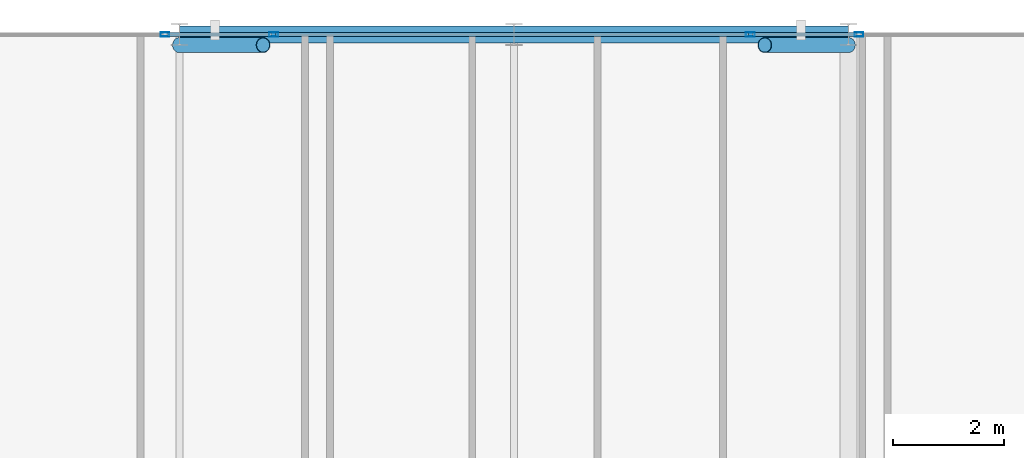
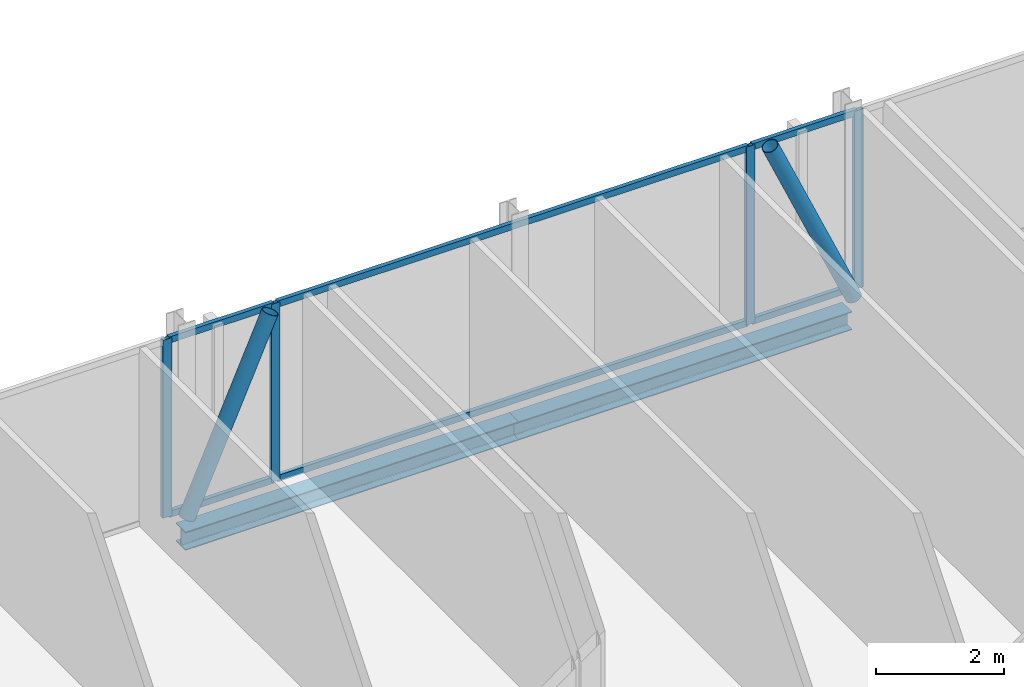
# One storey, part 17 of 27: 12 members, 2 beams, 4 elements without a shape of their own.
"""IFC4 building model written with IfcOpenShell, lengths in metres."""

from ifc_helpers import new_model, si_unit, direction, frame, origin, origin_2d, place, context, subcontext, project, spatial, hollow_rectangle, hollow_circle, i_section, extrude, material, layer, layer_set, material_profile, profile_set, type_object, element, aggregate, save


model = new_model("IFC4")

# Units and contexts
model_context = context("Model", 3, precision=1e-05, world=origin(), true_north=direction((0.0, 1.0)))
body_context = subcontext(model_context, "Body", "Model", "MODEL_VIEW")
ifc_project = project(units=[si_unit("LENGTHUNIT", "METRE"), si_unit("AREAUNIT", "SQUARE_METRE"), si_unit("VOLUMEUNIT", "CUBIC_METRE"), si_unit("PLANEANGLEUNIT", "RADIAN"), si_unit("MASSUNIT", "GRAM", prefix="KILO")], contexts=[model_context])

# Site, building, storey
site_placement = place(None, origin())
site = spatial("IfcSite", under=ifc_project, at=site_placement, CompositionType="ELEMENT")
building_placement = place(site_placement, origin())
building = spatial("IfcBuilding", under=site, at=building_placement, Name="Keshet Zoharim Tower", CompositionType="ELEMENT")
storey_placement = place(building_placement, frame((0.0, 0.0, 273.199951171875)))
storey = spatial("IfcBuildingStorey", under=building, at=storey_placement, Name="L68", CompositionType="ELEMENT", Elevation=273.199951171875)

# Beams
ifc_material_1 = material(Name="Steel S355", Category="steel")
ifc_material_profile_1 = material_profile(ifc_material_1, i_section(OverallWidth=0.300048828125, OverallDepth=0.35009765625, WebThickness=0.010009765625, FlangeThickness=0.017578125, FilletRadius=0.027099609375, at=origin_2d()), Name="HEA360")
ifc_profile_set_1 = profile_set([ifc_material_profile_1], Name="Steel S355")
beam_type = type_object("IfcBeamType", Name="BM-PRI-HA360", PredefinedType="BEAM", material=ifc_profile_set_1)
for number, where, z_axis, x_axis, name in (
    (1, (21.0, 53.89990234375, -0.48486328125), (1.0, 0.0, 0.0), (0.0, 1.0, 0.0), "L68 Primary Girder X-010"),
    (2, (27.0, 53.89990234375, -0.48486328125), (1.0, 0.0, 0.0), (0.0, 1.0, 0.0), "L68 Primary Girder X-011"),
):
    element("IfcBeam", number, at=place(storey_placement, frame(where, z_axis=z_axis, x_axis=x_axis)), inside=storey, type_object=beam_type, Name=name, PredefinedType="BEAM", context=body_context, shape_type="SweptSolid", body=[
        extrude(i_section(OverallWidth=0.300048828125, OverallDepth=0.35009765625, WebThickness=0.010009765625, FlangeThickness=0.017578125, FilletRadius=0.027099609375, at=origin_2d()), origin(), (0.0, 0.0, 1.0), 6.0),
    ])

# Curtain wall, member
ifc_material_2 = material(Name="Aluminium 6063-T6", Category="aluminium")
ifc_layer = layer(ifc_material_2, 0.260009765625)
ifc_layer_set = layer_set([ifc_layer], Name="Aluminium 6063-T6")
curtain_wall_type = type_object("IfcCurtainWallType", Name="CW-SYS-06", PredefinedType="NOTDEFINED", material=ifc_layer_set)
curtain_wall_1_placement = place(storey_placement, origin())
curtain_wall_1 = element("IfcCurtainWall", 3, at=curtain_wall_1_placement, inside=storey, type_object=curtain_wall_type, Name="L68 Unitised Curtain Wall 06", PredefinedType="NOTDEFINED")
ifc_material_profile_2 = material_profile(ifc_material_2, hollow_rectangle(XDim=0.074951171875, YDim=0.159912109375, WallThickness=0.00390625, at=origin_2d()), Name="MUL-75x160")
ifc_profile_set_2 = profile_set([ifc_material_profile_2], Name="Aluminium 6063-T6")
member_type_1 = type_object("IfcMemberType", Name="CWM-M15", PredefinedType="MULLION", material=ifc_profile_set_2)
member_1_placement = place(storey_placement, frame((20.740234375, 53.89990234375, 0.0), z_axis=(0.0, 0.0, 1.0), x_axis=(0.0, 1.0, 0.0)))
member_1 = element("IfcMember", 4, at=member_1_placement, type_object=member_type_1, Name="CW-06 mullion 2", PredefinedType="MULLION", context=body_context, shape_type="SweptSolid", body=[
    extrude(hollow_rectangle(XDim=0.074951171875, YDim=0.159912109375, WallThickness=0.00390625, at=origin_2d()), origin(), (0.0, 0.0, 1.0), 3.39013671875),
])
aggregate(curtain_wall_1, [member_1])

curtain_wall_2_placement = place(storey_placement, origin())
curtain_wall_2 = element("IfcCurtainWall", 5, at=curtain_wall_2_placement, inside=storey, type_object=curtain_wall_type, Name="L68 Unitised Curtain Wall 06 Part 2", PredefinedType="NOTDEFINED")
member_2_placement = place(storey_placement, frame((22.689697265625, 53.89990234375, 0.0), z_axis=(0.0, 0.0, 1.0), x_axis=(0.0, 1.0, 0.0)))
member_2 = element("IfcMember", 6, at=member_2_placement, type_object=member_type_1, Name="CW-06 mullion 2", PredefinedType="MULLION", context=body_context, shape_type="SweptSolid", body=[
    extrude(hollow_rectangle(XDim=0.074951171875, YDim=0.159912109375, WallThickness=0.00390625, at=origin_2d()), origin(), (0.0, 0.0, 1.0), 3.39013671875),
])

curtain_wall_3_placement = place(storey_placement, origin())
curtain_wall_3 = element("IfcCurtainWall", 7, at=curtain_wall_3_placement, inside=storey, type_object=curtain_wall_type, Name="L68 Unitised Curtain Wall 06 Part 3", PredefinedType="NOTDEFINED")
member_3_placement = place(storey_placement, frame((31.240234375, 53.89990234375, 0.0), z_axis=(0.0, 0.0, 1.0), x_axis=(0.0, 1.0, 0.0)))
member_3 = element("IfcMember", 8, at=member_3_placement, type_object=member_type_1, Name="CW-06 mullion 2", PredefinedType="MULLION", context=body_context, shape_type="SweptSolid", body=[
    extrude(hollow_rectangle(XDim=0.074951171875, YDim=0.159912109375, WallThickness=0.00390625, at=origin_2d()), origin(), (0.0, 0.0, 1.0), 3.39013671875),
])

curtain_wall_4_placement = place(storey_placement, origin())
curtain_wall_4 = element("IfcCurtainWall", 9, at=curtain_wall_4_placement, inside=storey, type_object=curtain_wall_type, Name="L68 Unitised Curtain Wall 06 Part 4", PredefinedType="NOTDEFINED")
member_4_placement = place(storey_placement, frame((33.189697265625, 53.89990234375, 0.0), z_axis=(0.0, 0.0, 1.0), x_axis=(0.0, 1.0, 0.0)))
member_4 = element("IfcMember", 10, at=member_4_placement, type_object=member_type_1, Name="CW-06 mullion 2", PredefinedType="MULLION", context=body_context, shape_type="SweptSolid", body=[
    extrude(hollow_rectangle(XDim=0.074951171875, YDim=0.159912109375, WallThickness=0.00390625, at=origin_2d()), origin(), (0.0, 0.0, 1.0), 3.39013671875),
])

# Member
ifc_material_profile_3 = material_profile(ifc_material_2, hollow_rectangle(XDim=0.074951171875, YDim=0.1201171875, WallThickness=0.00390625, at=origin_2d()), Name="TRN-75x120")
ifc_profile_set_3 = profile_set([ifc_material_profile_3], Name="Aluminium 6063-T6")
member_type_2 = type_object("IfcMemberType", Name="CWT-T12", PredefinedType="USERDEFINED", material=ifc_profile_set_3)
member_5_placement = place(storey_placement, frame((20.775146484375, 53.89990234375, 0.03515625), z_axis=(1.0, 0.0, 0.0), x_axis=(0.0, 1.0, 0.0)))
member_5 = element("IfcMember", 11, at=member_5_placement, type_object=member_type_2, Name="CW-06 transom 1.1", ObjectType="TRANSOM", PredefinedType="USERDEFINED", context=body_context, shape_type="SweptSolid", body=[
    extrude(hollow_rectangle(XDim=0.074951171875, YDim=0.1201171875, WallThickness=0.00390625, at=origin_2d()), origin(), (0.0, 0.0, 1.0), 1.879638671875),
])

member_6_placement = place(storey_placement, frame((20.775146484375, 53.89990234375, 3.35498046875), z_axis=(1.0, 0.0, 0.0), x_axis=(0.0, 1.0, 0.0)))
member_6 = element("IfcMember", 12, at=member_6_placement, type_object=member_type_2, Name="CW-06 transom 1.2", ObjectType="TRANSOM", PredefinedType="USERDEFINED", context=body_context, shape_type="SweptSolid", body=[
    extrude(hollow_rectangle(XDim=0.074951171875, YDim=0.1201171875, WallThickness=0.00390625, at=origin_2d()), origin(), (0.0, 0.0, 1.0), 1.879638671875),
])

aggregate(curtain_wall_2, [member_2, member_5, member_6])

member_7_placement = place(storey_placement, frame((22.724853515625, 53.89990234375, 0.03515625), z_axis=(1.0, 0.0, 0.0), x_axis=(0.0, 1.0, 0.0)))
member_7 = element("IfcMember", 13, at=member_7_placement, type_object=member_type_2, Name="CW-06 transom 1.1", ObjectType="TRANSOM", PredefinedType="USERDEFINED", context=body_context, shape_type="SweptSolid", body=[
    extrude(hollow_rectangle(XDim=0.074951171875, YDim=0.1201171875, WallThickness=0.00390625, at=origin_2d()), origin(), (0.0, 0.0, 1.0), 8.480224609375),
])

member_8_placement = place(storey_placement, frame((22.724853515625, 53.89990234375, 3.35498046875), z_axis=(1.0, 0.0, 0.0), x_axis=(0.0, 1.0, 0.0)))
member_8 = element("IfcMember", 14, at=member_8_placement, type_object=member_type_2, Name="CW-06 transom 1.2", ObjectType="TRANSOM", PredefinedType="USERDEFINED", context=body_context, shape_type="SweptSolid", body=[
    extrude(hollow_rectangle(XDim=0.074951171875, YDim=0.1201171875, WallThickness=0.00390625, at=origin_2d()), origin(), (0.0, 0.0, 1.0), 8.480224609375),
])

aggregate(curtain_wall_3, [member_3, member_7, member_8])

member_9_placement = place(storey_placement, frame((31.275146484375, 53.89990234375, 0.03515625), z_axis=(1.0, 0.0, 0.0), x_axis=(0.0, 1.0, 0.0)))
member_9 = element("IfcMember", 15, at=member_9_placement, type_object=member_type_2, Name="CW-06 transom 1.1", ObjectType="TRANSOM", PredefinedType="USERDEFINED", context=body_context, shape_type="SweptSolid", body=[
    extrude(hollow_rectangle(XDim=0.074951171875, YDim=0.1201171875, WallThickness=0.00390625, at=origin_2d()), origin(), (0.0, 0.0, 1.0), 1.879638671875),
])

member_10_placement = place(storey_placement, frame((31.275146484375, 53.89990234375, 3.35498046875), z_axis=(1.0, 0.0, 0.0), x_axis=(0.0, 1.0, 0.0)))
member_10 = element("IfcMember", 16, at=member_10_placement, type_object=member_type_2, Name="CW-06 transom 1.2", ObjectType="TRANSOM", PredefinedType="USERDEFINED", context=body_context, shape_type="SweptSolid", body=[
    extrude(hollow_rectangle(XDim=0.074951171875, YDim=0.1201171875, WallThickness=0.00390625, at=origin_2d()), origin(), (0.0, 0.0, 1.0), 1.879638671875),
])

aggregate(curtain_wall_4, [member_4, member_9, member_10])

# Members
ifc_material_profile_4 = material_profile(ifc_material_1, hollow_circle(Radius=0.136474609375, WallThickness=0.010009765625, at=origin_2d()), Name="CHS273x10")
ifc_profile_set_4 = profile_set([ifc_material_profile_4], Name="Steel S355")
member_type_3 = type_object("IfcMemberType", Name="MB-BR-C273", PredefinedType="BRACE", material=ifc_profile_set_4)
for number, where, z_axis, x_axis, name in (
    (17, (21.0, 53.7099609375, 0.0), (0.404622528463, 0.0, 0.914483793984), (0.0, 1.0, 0.0), "L68 Perimeter Tube Brace 03"),
    (18, (33.0, 53.7099609375, 0.0), (-0.404622528463, 0.0, 0.914483793984), (0.0, -1.0, 0.0), "L68 Perimeter Tube Brace 04"),
):
    element("IfcMember", number, at=place(storey_placement, frame(where, z_axis=z_axis, x_axis=x_axis)), inside=storey, type_object=member_type_3, Name=name, PredefinedType="BRACE", context=body_context, shape_type="SweptSolid", body=[
        extrude(hollow_circle(Radius=0.136474609375, WallThickness=0.010009765625, at=origin_2d()), origin(), (0.0, 0.0, 1.0), 3.707275390625),
    ])

save(model, "model.ifc")
